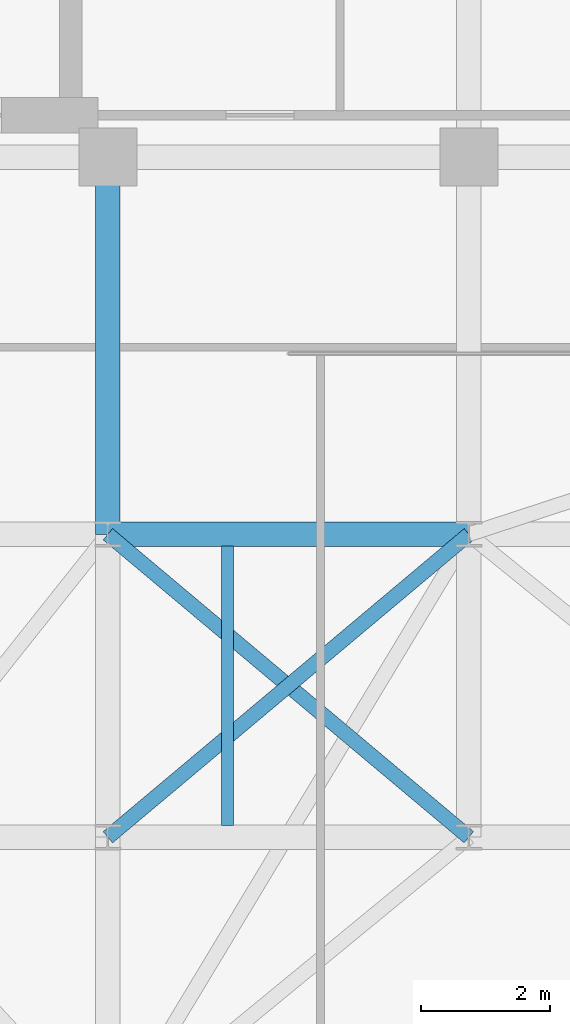
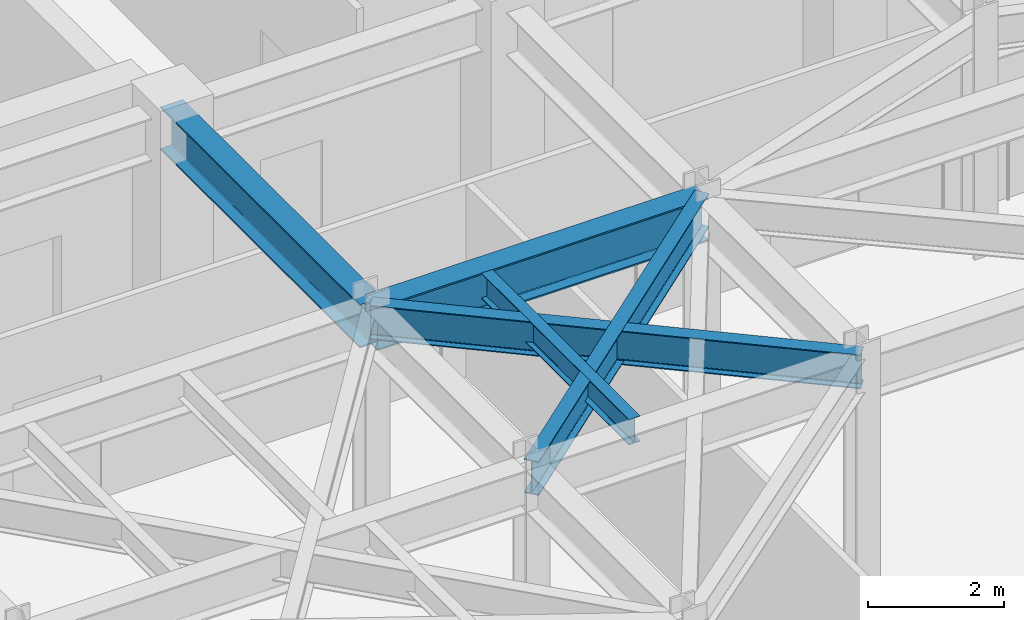
# One storey, part 9 of 25: 5 beams.
"""IFC4 building model written with IfcOpenShell, lengths in metres."""

from ifc_helpers import new_model, si_unit, direction, frame, origin, origin_2d, place, context, subcontext, project, spatial, i_section, extrude, material, material_profile, profile_set, type_object, element, save


model = new_model("IFC4")

# Units and contexts
model_context = context("Model", 3, precision=1e-05, world=origin(), true_north=direction((0.0, 1.0)))
body_context = subcontext(model_context, "Body", "Model", "MODEL_VIEW")
ifc_project = project(units=[si_unit("LENGTHUNIT", "METRE"), si_unit("AREAUNIT", "SQUARE_METRE"), si_unit("VOLUMEUNIT", "CUBIC_METRE"), si_unit("PLANEANGLEUNIT", "RADIAN"), si_unit("MASSUNIT", "GRAM", prefix="KILO")], contexts=[model_context])

# Site, building, storey
site_placement = place(None, origin())
site = spatial("IfcSite", under=ifc_project, at=site_placement, CompositionType="ELEMENT")
building_placement = place(site_placement, origin())
building = spatial("IfcBuilding", under=site, at=building_placement, Name="Kravanh Interchange Tower", CompositionType="ELEMENT")
storey_placement = place(building_placement, frame((0.0, 0.0, 220.5)))
storey = spatial("IfcBuildingStorey", under=building, at=storey_placement, Name="L53", CompositionType="ELEMENT", Elevation=220.5)

# Beams
ifc_material_1 = material(Name="Structural Steel S355", Category="steel")
ifc_material_profile_1 = material_profile(ifc_material_1, i_section(OverallWidth=0.381103515625, OverallDepth=0.77294921875, WebThickness=0.0166015625, FlangeThickness=0.027099609375, FilletRadius=0.02490234375, at=origin_2d()), Name="W30X173")
ifc_profile_set_1 = profile_set([ifc_material_profile_1], Name="Structural Steel S355")
beam_type_1 = type_object("IfcBeamType", Name="Floor Beam W30X173 Structural Steel S355", PredefinedType="BEAM", material=ifc_profile_set_1)
beam_1_placement = place(storey_placement, frame((27.199951171875, 37.35009765625, 3.83349609375), z_axis=(0.0, -1.0, 0.0), x_axis=(1.0, 0.0, 0.0)))
element("IfcBeam", 1, at=beam_1_placement, inside=storey, type_object=beam_type_1, Name="L53 Primary Floor Girder 24", PredefinedType="BEAM", context=body_context, shape_type="SweptSolid", body=[
    extrude(i_section(OverallWidth=0.381103515625, OverallDepth=0.77294921875, WebThickness=0.0166015625, FlangeThickness=0.027099609375, FilletRadius=0.02490234375, at=origin_2d()), origin(), (0.0, 0.0, 1.0), 5.85009765625),
])
beam_2_placement = place(storey_placement, frame((27.199951171875, 31.5, 3.83349609375), z_axis=(1.0, 0.0, 0.0), x_axis=(0.0, 1.0, 0.0)))
element("IfcBeam", 2, at=beam_2_placement, inside=storey, type_object=beam_type_1, Name="L53 Primary Floor Girder 64", PredefinedType="BEAM", context=body_context, shape_type="SweptSolid", body=[
    extrude(i_section(OverallWidth=0.381103515625, OverallDepth=0.77294921875, WebThickness=0.0166015625, FlangeThickness=0.027099609375, FilletRadius=0.02490234375, at=origin_2d()), origin(), (0.0, 0.0, 1.0), 5.60009765625),
])
ifc_material_2 = material(Name="Structural Steel S355", Category="steel")
ifc_material_profile_2 = material_profile(ifc_material_2, i_section(OverallWidth=0.18994140625, OverallDepth=0.45703125, WebThickness=0.009033203125, FlangeThickness=0.014404296875, FilletRadius=0.01806640625, at=origin_2d()), Name="W18X50")
ifc_profile_set_2 = profile_set([ifc_material_profile_2], Name="Structural Steel S355")
beam_type_2 = type_object("IfcBeamType", Name="Floor Joist W18X50 Structural Steel S355", PredefinedType="JOIST", material=ifc_profile_set_2)
beam_3_placement = place(storey_placement, frame((29.053955078125, 26.985595703125, 3.991455078125), z_axis=(0.0, 1.0, 0.0), x_axis=(-1.0, 0.0, 0.0)))
element("IfcBeam", 3, at=beam_3_placement, inside=storey, type_object=beam_type_2, Name="L53 Secondary Floor Joist 11", PredefinedType="JOIST", context=body_context, shape_type="SweptSolid", body=[
    extrude(i_section(OverallWidth=0.18994140625, OverallDepth=0.45703125, WebThickness=0.009033203125, FlangeThickness=0.014404296875, FilletRadius=0.01806640625, at=origin_2d()), origin(), (0.0, 0.0, 1.0), 4.328857421875),
])
ifc_material_3 = material(Name="Structural Steel S355", Category="steel")
ifc_material_profile_3 = material_profile(ifc_material_3, i_section(OverallWidth=0.22802734375, OverallDepth=0.60791015625, WebThickness=0.01123046875, FlangeThickness=0.017333984375, FilletRadius=0.02197265625, at=origin_2d()), Name="W24X76")
ifc_profile_set_3 = profile_set([ifc_material_profile_3], Name="Structural Steel S355")
beam_type_3 = type_object("IfcBeamType", Name="Floor Spandrel W24X76 Structural Steel S355", PredefinedType="SPANDREL", material=ifc_profile_set_3)
for number, where, z_axis, x_axis, name in (
    (4, (27.199951171875, 26.800048828125, 3.916015625), (0.765983062929, 0.642860752657, 0.0), (-0.642860752657, 0.765983062929, 0.0), "L53 Perimeter Spandrel 40"),
    (5, (32.800048828125, 26.800048828125, 3.916015625), (-0.765983062929, 0.642860752657, 0.0), (-0.642860752657, -0.765983062929, 0.0), "L53 Perimeter Spandrel 44"),
):
    element("IfcBeam", number, at=place(storey_placement, frame(where, z_axis=z_axis, x_axis=x_axis)), inside=storey, type_object=beam_type_3, Name=name, PredefinedType="SPANDREL", context=body_context, shape_type="SweptSolid", body=[
        extrude(i_section(OverallWidth=0.22802734375, OverallDepth=0.60791015625, WebThickness=0.01123046875, FlangeThickness=0.017333984375, FilletRadius=0.02197265625, at=origin_2d()), origin(), (0.0, 0.0, 1.0), 7.31103515625),
    ])

save(model, "model.ifc")
